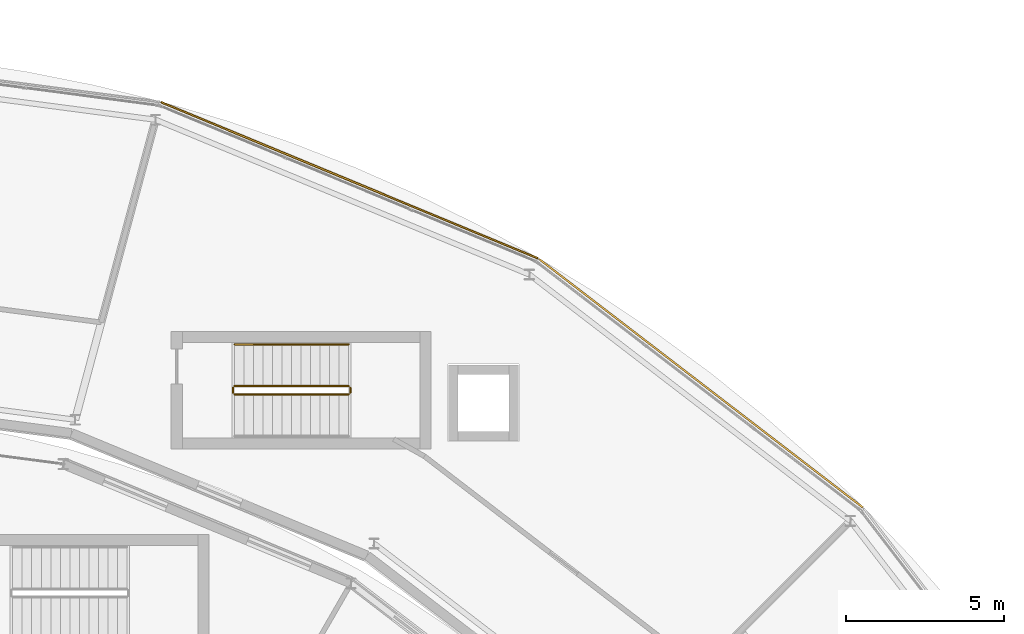
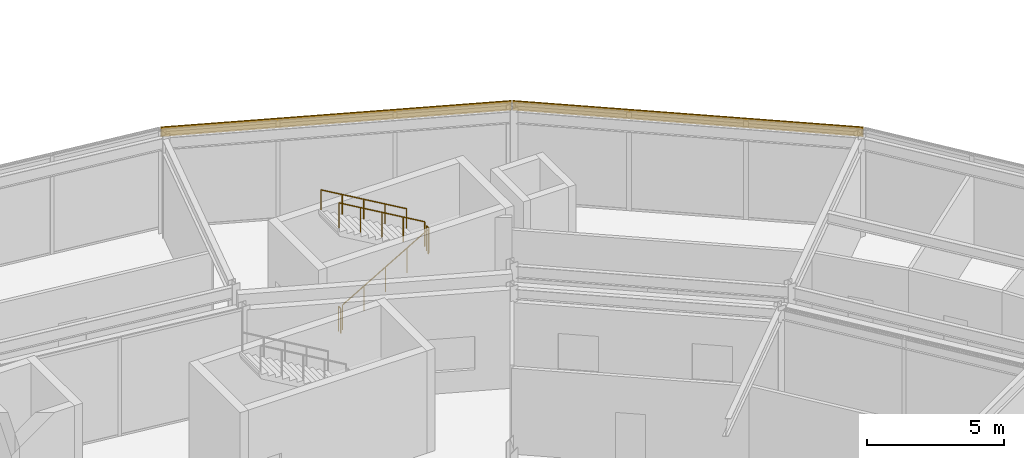
# One storey, part 128 of 133: 5 railings, 2 coverings.
"""IFC4 building model written with IfcOpenShell, lengths in metres."""

from ifc_helpers import new_model, si_unit, direction, frame, origin, origin_2d, place, context, subcontext, project, spatial, rectangle, circle, extrude, material, layer, layer_set, type_object, element, save


model = new_model("IFC4")

# Units and contexts
model_context = context("Model", 3, precision=1e-05, world=origin(), true_north=direction((0.0, 1.0)))
body_context = subcontext(model_context, "Body", "Model", "MODEL_VIEW")
ifc_project = project(units=[si_unit("LENGTHUNIT", "METRE"), si_unit("AREAUNIT", "SQUARE_METRE"), si_unit("VOLUMEUNIT", "CUBIC_METRE"), si_unit("PLANEANGLEUNIT", "RADIAN"), si_unit("MASSUNIT", "GRAM", prefix="KILO")], contexts=[model_context])

# Site, building, storey
site_placement = place(None, origin())
site = spatial("IfcSite", under=ifc_project, at=site_placement, CompositionType="ELEMENT")
building_placement = place(site_placement, origin())
building = spatial("IfcBuilding", under=site, at=building_placement, Name="Almandine Court Research Institute", CompositionType="ELEMENT")
storey_placement = place(building_placement, frame((0.0, 0.0, 9.800048828125)))
storey = spatial("IfcBuildingStorey", under=building, at=storey_placement, Name="L02", CompositionType="ELEMENT", Elevation=9.800048828125)

# Coverings
ifc_material_1 = material(Name="Extruded Cream-Ochre Seismic Terracotta Spandrel", Category="masonry")
ifc_layer = layer(ifc_material_1, 0.054931640625)
ifc_layer_set = layer_set([ifc_layer], Name="Extruded Cream-Ochre Seismic Terracotta Spandrel")
covering_type = type_object("IfcCoveringType", Name="Cov-CLAD-TERR", PredefinedType="CLADDING", material=ifc_layer_set)
for number, where, z_axis, x_axis, name in (
    (1, (116.864990234375, 94.919921875, 3.97998046875), (0.0, 0.0, 1.0), (0.793353340291, -0.608761429009, 0.0), "L02 Drum Stacked Terracotta Ring Band 03"),
    (2, (105.77392578125, 101.323974609375, 3.97998046875), (0.0, 0.0, 1.0), (0.923879532511, -0.382683432365, 0.0), "L02 Drum Stacked Terracotta Ring Band 04"),
):
    element("IfcCovering", number, at=place(storey_placement, frame(where, z_axis=z_axis, x_axis=x_axis)), inside=storey, type_object=covering_type, Name=name, PredefinedType="CLADDING", context=body_context, shape_type="SweptSolid", body=[
        extrude(rectangle(XDim=12.8779296875, YDim=0.054931640625, at=origin_2d()), origin(), (0.0, 0.0, 1.0), 0.419921875),
    ])

# Railings
ifc_material_2 = material(Name="Powder-Coated Steel Stair and Atrium Balustrade", Category="steel")
railing_type_1 = type_object("IfcRailingType", Name="Rail-GUARD-INT", PredefinedType="BALUSTRADE", material=ifc_material_2)
railing_1_placement = place(storey_placement, frame((102.14990234375, 94.570068359375, 0.175048828125)))
element("IfcRailing", 3, at=railing_1_placement, inside=storey, type_object=railing_type_1, Name="L02 ST-09 stair guard 1", PredefinedType="BALUSTRADE", context=body_context, shape_type="SweptSolid", body=[
    extrude(circle(Radius=0.02392578125, at=origin_2d()), frame((0.0, 0.0, 1.09619140625), z_axis=(0.863800146258, 0.0, 0.503834603144), x_axis=(0.0, 1.0, 0.0)), (0.0, 0.0, 1.0), 4.167724609375),
    extrude(circle(Radius=0.02099609375, at=origin_2d()), origin(), (0.0, 0.0, 1.0), 1.072021484375),
    extrude(circle(Radius=0.02099609375, at=origin_2d()), frame((0.89990234375, 0.0, 0.52490234375)), (0.0, 0.0, 1.0), 1.072021484375),
    extrude(circle(Radius=0.02099609375, at=origin_2d()), frame((1.800048828125, 0.0, 1.0498046875)), (0.0, 0.0, 1.0), 1.072021484375),
    extrude(circle(Radius=0.02099609375, at=origin_2d()), frame((2.7001953125, 0.0, 1.574951171875)), (0.0, 0.0, 1.0), 1.072021484375),
    extrude(circle(Radius=0.02099609375, at=origin_2d()), frame((3.60009765625, 0.0, 2.099853515625)), (0.0, 0.0, 1.0), 1.072021484375),
])
railing_2_placement = place(storey_placement, frame((105.800048828125, 94.6201171875, 2.27490234375)))
element("IfcRailing", 4, at=railing_2_placement, inside=storey, type_object=railing_type_1, Name="L02 ST-09 stair guard 2", PredefinedType="BALUSTRADE", context=body_context, shape_type="SweptSolid", body=[
    extrude(circle(Radius=0.02392578125, at=origin_2d()), frame((0.0, 0.0, 1.09619140625), z_axis=(0.0, 1.0, 0.0), x_axis=(-1.0, 0.0, 0.0)), (0.0, 0.0, 1.0), 0.159912109375),
    extrude(circle(Radius=0.02099609375, at=origin_2d()), origin(), (0.0, 0.0, 1.0), 1.072021484375),
    extrude(circle(Radius=0.02099609375, at=origin_2d()), frame((0.0, 0.159912109375, 0.0)), (0.0, 0.0, 1.0), 1.072021484375),
])
railing_3_placement = place(storey_placement, frame((105.75, 94.830078125, 2.449951171875)))
element("IfcRailing", 5, at=railing_3_placement, inside=storey, type_object=railing_type_1, Name="L02 ST-09 stair guard 3", PredefinedType="BALUSTRADE", context=body_context, shape_type="SweptSolid", body=[
    extrude(circle(Radius=0.02392578125, at=origin_2d()), frame((0.0, 0.0, 1.09619140625), z_axis=(-0.863774651768, 0.0, 0.503878309678), x_axis=(0.0, -1.0, 0.0)), (0.0, 0.0, 1.0), 4.16796875),
    extrude(circle(Radius=0.02099609375, at=origin_2d()), origin(), (0.0, 0.0, 1.0), 1.072021484375),
    extrude(circle(Radius=0.02099609375, at=origin_2d()), frame((-0.89990234375, 0.0, 0.52490234375)), (0.0, 0.0, 1.0), 1.072021484375),
    extrude(circle(Radius=0.02099609375, at=origin_2d()), frame((-1.800048828125, 0.0, 1.050048828125)), (0.0, 0.0, 1.0), 1.072021484375),
    extrude(circle(Radius=0.02099609375, at=origin_2d()), frame((-2.7001953125, 0.0, 1.5751953125)), (0.0, 0.0, 1.0), 1.072021484375),
    extrude(circle(Radius=0.02099609375, at=origin_2d()), frame((-3.60009765625, 0.0, 2.10009765625)), (0.0, 0.0, 1.0), 1.072021484375),
])
railing_4_placement = place(storey_placement, frame((102.10009765625, 94.6201171875, 0.0)))
element("IfcRailing", 6, at=railing_4_placement, inside=storey, type_object=railing_type_1, Name="L02 ST-09 stair guard 4", PredefinedType="BALUSTRADE", context=body_context, shape_type="SweptSolid", body=[
    extrude(circle(Radius=0.02392578125, at=origin_2d()), frame((0.0, 0.0, 1.09619140625), z_axis=(0.0, 1.0, 0.0), x_axis=(-1.0, 0.0, 0.0)), (0.0, 0.0, 1.0), 0.159912109375),
    extrude(circle(Radius=0.02099609375, at=origin_2d()), origin(), (0.0, 0.0, 1.0), 1.072021484375),
    extrude(circle(Radius=0.02099609375, at=origin_2d()), frame((0.0, 0.159912109375, 0.0)), (0.0, 0.0, 1.0), 1.072021484375),
])
ifc_material_3 = material(Name="Brushed Stainless Steel Wall Handrail", Category="steel")
railing_type_2 = type_object("IfcRailingType", Name="Rail-HAND-INT", PredefinedType="HANDRAIL", material=ifc_material_3)
railing_5_placement = place(storey_placement, frame((105.75, 96.14990234375, 2.449951171875)))
element("IfcRailing", 7, at=railing_5_placement, inside=storey, type_object=railing_type_2, Name="L02 ST-09 stair handrail 2", PredefinedType="HANDRAIL", context=body_context, shape_type="SweptSolid", body=[
    extrude(circle(Radius=0.02392578125, at=origin_2d()), frame((0.0, 0.0, 0.8759765625), z_axis=(-0.863774651768, 0.0, 0.503878309678), x_axis=(0.0, -1.0, 0.0)), (0.0, 0.0, 1.0), 4.16796875),
    extrude(circle(Radius=0.02099609375, at=origin_2d()), origin(), (0.0, 0.0, 1.0), 0.851806640625),
    extrude(circle(Radius=0.02099609375, at=origin_2d()), frame((-0.89990234375, 0.0, 0.52490234375)), (0.0, 0.0, 1.0), 0.851806640625),
    extrude(circle(Radius=0.02099609375, at=origin_2d()), frame((-1.800048828125, 0.0, 1.050048828125)), (0.0, 0.0, 1.0), 0.851806640625),
    extrude(circle(Radius=0.02099609375, at=origin_2d()), frame((-2.7001953125, 0.0, 1.5751953125)), (0.0, 0.0, 1.0), 0.851806640625),
    extrude(circle(Radius=0.02099609375, at=origin_2d()), frame((-3.60009765625, 0.0, 2.10009765625)), (0.0, 0.0, 1.0), 0.851806640625),
])

save(model, "model.ifc")
